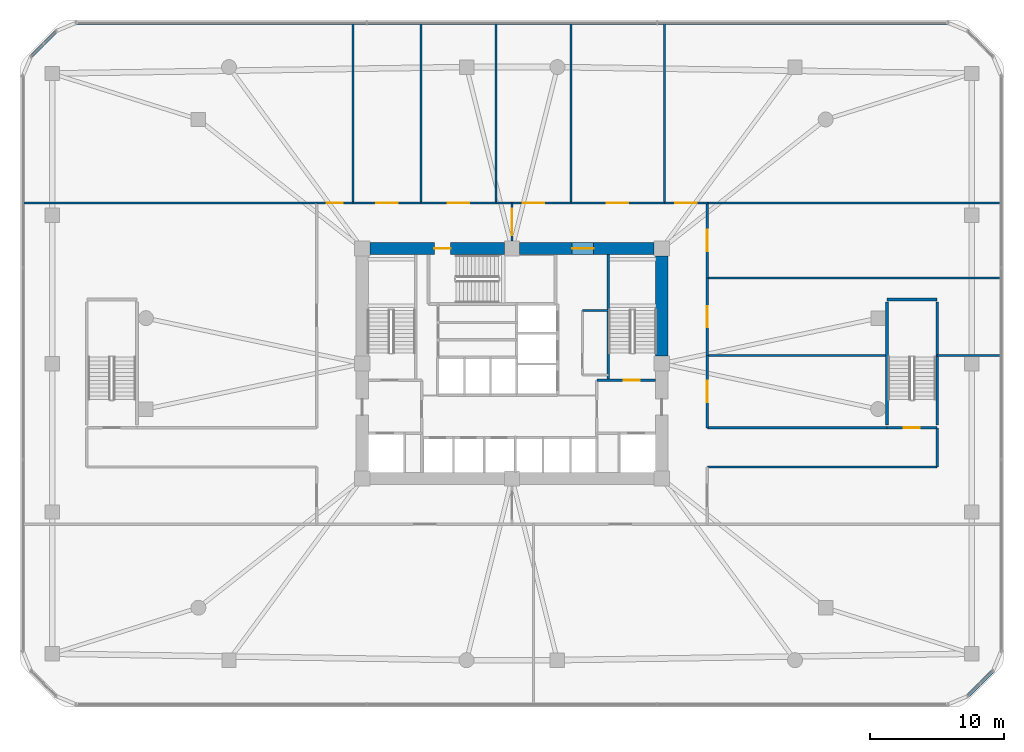
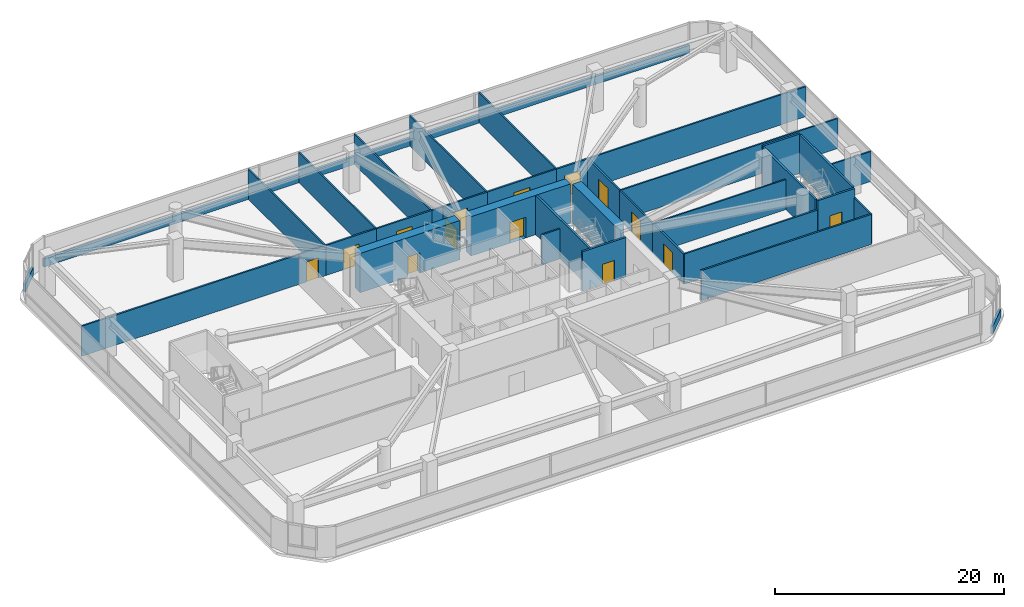
# One storey, part 18 of 21: 36 walls, 14 doors, 14 openings.
"""IFC4 building model written with IfcOpenShell, lengths in metres."""

import ifcopenshell
import ifcopenshell.guid

model = None  # the IFC model being written
_history = None  # IfcOwnerHistory: only IFC2X3 demands one
_inside = {}  # id of a spatial element -> (the spatial element, [elements in it])
_under = {}  # id of a project, library or spatial element -> (it, [spatial elements below it])
_declared = {}  # id of a project -> (the project, [libraries it declares])
_typed = {}  # id of a type object -> (the type object, [elements of that type])
_made_of = {}  # id of a material, layer set ... -> (it, [elements and type objects made of it])


def new_model(schema):
    """Start an empty IFC model of exactly this schema.

    Asked for "IFC4X3", IfcOpenShell would pick the latest addendum, in which some entities
    have other attributes; the version numbers below select the first issue.
    IFC2X3 requires an IfcOwnerHistory on every rooted entity: one is made here for all.
    """
    global model, _history
    if schema == "IFC4X3":
        model = ifcopenshell.file(schema_version=(4, 3, 0, 0))
    else:
        model = ifcopenshell.file(schema=schema)
    _inside.clear()
    _under.clear()
    _declared.clear()
    _typed.clear()
    _made_of.clear()
    _history = None
    if model.schema == "IFC2X3":
        org = make("IfcOrganization", Name="unknown")
        user = make(
            "IfcPersonAndOrganization",
            ThePerson=make("IfcPerson", FamilyName="unknown"),
            TheOrganization=org,
        )
        app = make(
            "IfcApplication",
            ApplicationDeveloper=org,
            Version="unknown",
            ApplicationFullName="unknown",
            ApplicationIdentifier="unknown",
        )
        _history = make(
            "IfcOwnerHistory",
            OwningUser=user,
            OwningApplication=app,
            ChangeAction="ADDED",
            CreationDate=0,
        )
    return model


def make(cls, **values):
    """One entity of the class cls with the attributes given. An attribute that is None is left unset."""
    return model.create_entity(
        cls, **{name: value for name, value in values.items() if value is not None}
    )


def rooted(cls, **values):
    """An entity with a GlobalId (a new one), such as an element, a storey or a relation."""
    return make(cls, GlobalId=ifcopenshell.guid.new(), OwnerHistory=_history, **values)


def si_unit(unit_type, name, prefix=None):
    """IfcSIUnit, for example si_unit("LENGTHUNIT", "METRE", prefix="MILLI")."""
    return make("IfcSIUnit", UnitType=unit_type, Prefix=prefix, Name=name)


def derived_unit(unit_type, elements):
    """IfcDerivedUnit: a product of units, each with its exponent."""
    return make(
        "IfcDerivedUnit",
        Elements=[
            make("IfcDerivedUnitElement", Unit=unit, Exponent=power)
            for unit, power in elements
        ],
        UnitType=unit_type,
    )


def assignment(units):
    """IfcUnitAssignment: the units of a project."""
    return None if units is None else make("IfcUnitAssignment", Units=units)


def point(xyz):
    """IfcCartesianPoint."""
    return None if xyz is None else make("IfcCartesianPoint", Coordinates=xyz)


def direction(xyz):
    """IfcDirection."""
    return None if xyz is None else make("IfcDirection", DirectionRatios=xyz)


def frame(location, z_axis=None, x_axis=None):
    """IfcAxis2Placement3D, a coordinate frame: its origin and axes. An axis left out is left unset."""
    return make(
        "IfcAxis2Placement3D",
        Location=point(location),
        Axis=direction(z_axis),
        RefDirection=direction(x_axis),
    )


def frame_2d(location, x_axis=None):
    """IfcAxis2Placement2D, a coordinate frame in the plane: its origin and x axis."""
    return make(
        "IfcAxis2Placement2D", Location=point(location), RefDirection=direction(x_axis)
    )


def origin():
    """The frame at (0, 0, 0) with its axes left unset."""
    return frame((0.0, 0.0, 0.0))


def place(relative_to, where):
    """IfcLocalPlacement: puts the frame where relative to a parent placement (None: the world)."""
    return make(
        "IfcLocalPlacement", PlacementRelTo=relative_to, RelativePlacement=where
    )


def context(
    kind, dimensions, precision=None, world=None, true_north=None, identifier=None
):
    """IfcGeometricRepresentationContext, for example the 3D "Model" context."""
    return make(
        "IfcGeometricRepresentationContext",
        ContextIdentifier=identifier,
        ContextType=kind,
        CoordinateSpaceDimension=dimensions,
        Precision=precision,
        WorldCoordinateSystem=world,
        TrueNorth=true_north,
    )


def subcontext(parent, identifier, kind, view, scale=None):
    """IfcGeometricRepresentationSubContext, for example "Body" below "Model"."""
    return make(
        "IfcGeometricRepresentationSubContext",
        ContextIdentifier=identifier,
        ContextType=kind,
        ParentContext=parent,
        TargetScale=scale,
        TargetView=view,
    )


def project(units=None, contexts=None):
    """IfcProject with its units and contexts."""
    return rooted(
        "IfcProject",
        Name="project",
        RepresentationContexts=contexts,
        UnitsInContext=assignment(units),
    )


def spatial(cls, under=None, at=None, **own):
    """A site, building, storey or space (cls), placed at a placement, below another one or the project."""
    s = rooted(cls, ObjectPlacement=at, **own)
    if under is not None:
        _under.setdefault(under.id(), (under, []))[1].append(s)
    return s


def profile(cls, at=None, kind="AREA", **sizes):
    """A parametric profile (cls). Its sizes go by their IFC names, for example OverallWidth=200.0."""
    return make(cls, ProfileType=kind, Position=at, **sizes)


def rectangle(**sizes):
    """IfcRectangleProfileDef."""
    return profile("IfcRectangleProfileDef", **sizes)


def extrude(swept, where, along, depth):
    """IfcExtrudedAreaSolid: the profile swept, set in the frame where, extruded along a direction by depth."""
    return make(
        "IfcExtrudedAreaSolid",
        SweptArea=swept,
        Position=where,
        ExtrudedDirection=direction(along),
        Depth=depth,
    )


def shape(context_of_items, identifier, shape_type, items):
    """IfcShapeRepresentation: the items that make up one representation, for example the "Body"."""
    return make(
        "IfcShapeRepresentation",
        ContextOfItems=context_of_items,
        RepresentationIdentifier=identifier,
        RepresentationType=shape_type,
        Items=items,
    )


def material(Name=None, Category=None):
    """IfcMaterial."""
    return make("IfcMaterial", Name=Name, Category=Category)


def layer(
    of_material, thickness, ventilated=None, Name=None, Category=None, Priority=None
):
    """IfcMaterialLayer: one layer of a wall or slab, of a material (None: an air gap)."""
    return make(
        "IfcMaterialLayer",
        Material=of_material,
        LayerThickness=thickness,
        IsVentilated=ventilated,
        Name=Name,
        Category=Category,
        Priority=Priority,
    )


def layer_set(layers, Name=None):
    """IfcMaterialLayerSet."""
    return make("IfcMaterialLayerSet", MaterialLayers=layers, LayerSetName=Name)


def made_of(thing, what):
    """Note that an element or type object is made of a material, layer set ...; save() writes the relation."""
    if what is not None:
        _made_of.setdefault(what.id(), (what, []))[1].append(thing)
    return thing


def type_object(cls, material=None, **own):
    """A type object (cls), such as IfcWallType, which elements share."""
    return made_of(rooted(cls, **own), material)


def element(
    cls,
    number,
    at=None,
    inside=None,
    cuts=None,
    type_object=None,
    material=None,
    context=None,
    identifier="Body",
    shape_type=None,
    held_by="IfcProductDefinitionShape",
    body=None,
    shapes=None,
    **own,
):
    """One element of the class cls, such as IfcWall. Its Tag is "e" and its number.

    at: its placement. inside: the storey or other place that contains it. cuts: it is an
    opening in that element (IfcRelVoidsElement). A single representation is given by context,
    identifier, shape_type and body (its items); several are given by shapes. held_by: the class
    of the entity that holds the representations. save() writes the other relations.
    """
    e = rooted(cls, Tag="e%d" % number, ObjectPlacement=at, **own)
    if body is not None:
        shapes = [shape(context, identifier, shape_type, body)]
    if shapes is not None:
        e.Representation = make(held_by, Representations=shapes)
    if inside is not None:
        _inside.setdefault(inside.id(), (inside, []))[1].append(e)
    if cuts is not None:
        rooted(
            "IfcRelVoidsElement", RelatingBuildingElement=cuts, RelatedOpeningElement=e
        )
    if type_object is not None:
        _typed.setdefault(type_object.id(), (type_object, []))[1].append(e)
    return made_of(e, material)


def fill(opening, filler):
    """IfcRelFillsElement: the door or window that sits in an opening."""
    return rooted(
        "IfcRelFillsElement",
        RelatingOpeningElement=opening,
        RelatedBuildingElement=filler,
    )


def aggregate(whole, parts):
    """IfcRelAggregates: a whole, such as a stair, and the parts it consists of."""
    return rooted("IfcRelAggregates", RelatingObject=whole, RelatedObjects=parts)


def save(model, path):
    """Write the relations noted so far, then the file.

    IfcRelAggregates (storeys below a building ...), IfcRelContainedInSpatialStructure (elements
    in a storey), IfcRelDefinesByType, IfcRelAssociatesMaterial and IfcRelDeclares: one each for
    every whole, place, type object, material and project.
    """
    for whole, parts in _under.values():
        aggregate(whole, parts)
    for where, things in _inside.values():
        rooted(
            "IfcRelContainedInSpatialStructure",
            RelatedElements=things,
            RelatingStructure=where,
        )
    for kind, things in _typed.values():
        rooted("IfcRelDefinesByType", RelatedObjects=things, RelatingType=kind)
    for what, things in _made_of.values():
        rooted("IfcRelAssociatesMaterial", RelatedObjects=things, RelatingMaterial=what)
    for by, libraries in _declared.values():
        rooted("IfcRelDeclares", RelatingContext=by, RelatedDefinitions=libraries)
    model.write(path)


model = new_model("IFC4")

# Units and contexts
model_context = context("Model", 3, precision=1e-05, world=origin(), true_north=direction((0.0, 1.0)))
body_context = subcontext(model_context, "Body", "Model", "MODEL_VIEW")
ifc_project = project(units=[si_unit("LENGTHUNIT", "METRE"), si_unit("AREAUNIT", "SQUARE_METRE"), si_unit("VOLUMEUNIT", "CUBIC_METRE"), si_unit("PLANEANGLEUNIT", "RADIAN"), si_unit("MASSUNIT", "GRAM", prefix="KILO"), derived_unit("THERMALTRANSMITTANCEUNIT", [(si_unit("POWERUNIT", "WATT"), 1), (si_unit("LENGTHUNIT", "METRE"), -2), (si_unit("THERMODYNAMICTEMPERATUREUNIT", "KELVIN"), -1)])], contexts=[model_context])

# Site, building, storey
site_placement = place(None, origin())
site = spatial("IfcSite", under=ifc_project, at=site_placement, CompositionType="ELEMENT")
building_placement = place(site_placement, origin())
building = spatial("IfcBuilding", under=site, at=building_placement, Name="Koralith Skygarden Medical Center", CompositionType="ELEMENT")
storey_placement = place(building_placement, frame((0.0, 0.0, 14.39990234375)))
storey = spatial("IfcBuildingStorey", under=building, at=storey_placement, Name="L03", CompositionType="ELEMENT", Elevation=14.39990234375)

# Walls
ifc_material_1 = material(Name="Gypsum Board Partition")
ifc_layer_1 = layer(ifc_material_1, 0.14990234375)
ifc_layer_set_1 = layer_set([ifc_layer_1], Name="Gypsum Board Partition")
wall_type_1 = type_object("IfcWallType", Name="Clinical Acoustic Partition 150", PredefinedType="PARTITIONING", material=ifc_layer_set_1)
wall_1_placement = place(storey_placement, frame((42.27001953125, 29.860107421875, 0.0), z_axis=(0.0, 0.0, 1.0), x_axis=(1.0, 0.0, 0.0)))
element("IfcWall", 1, at=wall_1_placement, inside=storey, type_object=wall_type_1, Name="L03 Clinical Acoustic Partition 150 W-CORE-L03-ESUB-N", PredefinedType="PARTITIONING", context=body_context, shape_type="SweptSolid", body=[
    extrude(rectangle(XDim=1.929931640625, YDim=0.14990234375, at=frame_2d((0.96484375, 0.0))), origin(), (0.0, 0.0, 1.0), 3.210205078125),
])
for number, where, z_axis, x_axis, name in (
    (2, (25.10009765625, 37.909912109375, 0.0), (0.0, 0.0, 1.0), (0.0, 1.0, 0.0), "L03 Clinical Acoustic Partition 150 W-PDPART-L03-N-1"),
    (3, (30.199951171875, 37.909912109375, 0.0), (0.0, 0.0, 1.0), (0.0, 1.0, 0.0), "L03 Clinical Acoustic Partition 150 W-PDPART-L03-N-2"),
    (4, (35.800048828125, 37.909912109375, 0.0), (0.0, 0.0, 1.0), (0.0, 1.0, 0.0), "L03 Clinical Acoustic Partition 150 W-PDPART-L03-N-3"),
    (5, (41.39990234375, 37.909912109375, 0.0), (0.0, 0.0, 1.0), (0.0, 1.0, 0.0), "L03 Clinical Acoustic Partition 150 W-PDPART-L03-N-4"),
    (6, (48.39990234375, 37.909912109375, 0.0), (0.0, 0.0, 1.0), (0.0, 1.0, 0.0), "L03 Clinical Acoustic Partition 150 W-PDPART-L03-N-5"),
):
    element("IfcWall", number, at=place(storey_placement, frame(where, z_axis=z_axis, x_axis=x_axis)), inside=storey, type_object=wall_type_1, Name=name, PredefinedType="PARTITIONING", context=body_context, shape_type="SweptSolid", body=[
        extrude(rectangle(XDim=13.4501953125, YDim=0.14990234375, at=frame_2d((6.72509765625, 0.0))), origin(), (0.0, 0.0, 1.0), 3.210205078125),
    ])
wall_2_placement = place(storey_placement, frame((51.610107421875, 26.5, 0.0), z_axis=(0.0, 0.0, 1.0), x_axis=(1.0, 0.0, 0.0)))
element("IfcWall", 7, at=wall_2_placement, inside=storey, type_object=wall_type_1, Name="L03 Clinical Acoustic Partition 150 W-PDPART-L03-E-NA1", PredefinedType="PARTITIONING", context=body_context, shape_type="SweptSolid", body=[
    extrude(rectangle(XDim=13.43994140625, YDim=0.14990234375, at=frame_2d((6.719970703125, 0.0))), origin(), (0.0, 0.0, 1.0), 3.210205078125),
])
wall_3_placement = place(storey_placement, frame((68.800048828125, 26.5, 0.0), z_axis=(0.0, 0.0, 1.0), x_axis=(1.0, 0.0, 0.0)))
element("IfcWall", 8, at=wall_3_placement, inside=storey, type_object=wall_type_1, Name="L03 Clinical Acoustic Partition 150 W-PDPART-L03-E-NB1", PredefinedType="PARTITIONING", context=body_context, shape_type="SweptSolid", body=[
    extrude(rectangle(XDim=4.760009765625, YDim=0.14990234375, at=frame_2d((2.3798828125, 0.0))), origin(), (0.0, 0.0, 1.0), 3.210205078125),
])
wall_4_placement = place(storey_placement, frame((51.610107421875, 32.300048828125, 0.0), z_axis=(0.0, 0.0, 1.0), x_axis=(1.0, 0.0, 0.0)))
element("IfcWall", 9, at=wall_4_placement, inside=storey, type_object=wall_type_1, Name="L03 Clinical Acoustic Partition 150 W-PDPART-L03-E-NF2", PredefinedType="PARTITIONING", context=body_context, shape_type="SweptSolid", body=[
    extrude(rectangle(XDim=21.949951171875, YDim=0.14990234375, at=frame_2d((10.97509765625, 0.0))), origin(), (0.0, 0.0, 1.0), 3.210205078125),
])
ifc_layer_2 = layer(ifc_material_1, 0.1650390625)
ifc_layer_set_2 = layer_set([ifc_layer_2], Name="Gypsum Board Partition")
wall_type_2 = type_object("IfcWallType", Name="Clinical Corridor Partition 165", PredefinedType="PARTITIONING", material=ifc_layer_set_2)
for number, where, z_axis, x_axis, name in (
    (10, (0.43994140625, 37.909912109375, 0.0), (0.0, 0.0, 1.0), (1.0, 0.0, 0.0), "L03 Clinical Corridor Partition 165 W-WB-L03-NW"),
    (11, (51.610107421875, 37.909912109375, 0.0), (0.0, 0.0, 1.0), (1.0, 0.0, 0.0), "L03 Clinical Corridor Partition 165 W-WB-L03-NE"),
):
    element("IfcWall", number, at=place(storey_placement, frame(where, z_axis=z_axis, x_axis=x_axis)), inside=storey, type_object=wall_type_2, Name=name, PredefinedType="PARTITIONING", context=body_context, shape_type="SweptSolid", body=[
        extrude(rectangle(XDim=21.949951171875, YDim=0.1650390625, at=frame_2d((10.97509765625, 0.0))), origin(), (0.0, 0.0, 1.0), 3.210205078125),
    ])
wall_5_placement = place(storey_placement, frame((51.610107421875, 18.169921875, 0.0), z_axis=(0.0, 0.0, 1.0), x_axis=(1.0, 0.0, 0.0)))
element("IfcWall", 12, at=wall_5_placement, inside=storey, type_object=wall_type_2, Name="L03 Clinical Corridor Partition 165 W-PARM-L03-ES", PredefinedType="PARTITIONING", context=body_context, shape_type="SweptSolid", body=[
    extrude(rectangle(XDim=17.18994140625, YDim=0.1650390625, at=frame_2d((8.594970703125, 0.0))), origin(), (0.0, 0.0, 1.0), 3.210205078125),
])
wall_6_placement = place(storey_placement, frame((68.800048828125, 18.169921875, 0.0), z_axis=(0.0, 0.0, 1.0), x_axis=(0.0, 1.0, 0.0)))
element("IfcWall", 13, at=wall_6_placement, inside=storey, type_object=wall_type_2, Name="L03 Clinical Corridor Partition 165 W-PARM-L03-EE", PredefinedType="PARTITIONING", context=body_context, shape_type="SweptSolid", body=[
    extrude(rectangle(XDim=2.93017578125, YDim=0.1650390625, at=frame_2d((1.465087890625, 0.0))), origin(), (0.0, 0.0, 1.0), 3.210205078125),
])
wall_7_placement = place(storey_placement, frame((51.610107421875, 21.10009765625, 0.0), z_axis=(0.0, 0.0, 1.0), x_axis=(1.0, 0.0, 0.0)))
element("IfcWall", 14, at=wall_7_placement, inside=storey, type_object=wall_type_2, Name="L03 Clinical Corridor Partition 165 W-PARM-L03-EN", PredefinedType="PARTITIONING", context=body_context, shape_type="SweptSolid", body=[
    extrude(rectangle(XDim=13.43994140625, YDim=0.1650390625, at=frame_2d((6.719970703125, 0.0))), origin(), (0.0, 0.0, 1.0), 3.210205078125),
])

# Wall, opening, door
wall_8_placement = place(storey_placement, frame((22.389892578125, 37.909912109375, 0.0), z_axis=(0.0, 0.0, 1.0), x_axis=(1.0, 0.0, 0.0)))
wall_8 = element("IfcWall", 15, at=wall_8_placement, inside=storey, type_object=wall_type_2, Name="L03 Clinical Corridor Partition 165 W-PDCOR-L03-N-1", PredefinedType="PARTITIONING", context=body_context, shape_type="SweptSolid", body=[
    extrude(rectangle(XDim=2.710205078125, YDim=0.1650390625, at=frame_2d((1.35498046875, 0.0))), origin(), (0.0, 0.0, 1.0), 3.210205078125),
])
opening_1_placement = place(wall_8_placement, frame((0.7548828125, 0.0, 0.0)))
opening_1 = element("IfcOpeningElement", 16, at=opening_1_placement, cuts=wall_8, Name="Opening D-CLN", PredefinedType="OPENING", context=body_context, shape_type="SweptSolid", body=[
    extrude(rectangle(XDim=1.199951171875, YDim=2.14990234375, at=frame_2d((0.60009765625, 1.074951171875))), frame((0.0, 0.092529296875, 0.0), z_axis=(0.0, -1.0, 0.0), x_axis=(1.0, 0.0, 0.0)), (0.0, 0.0, 1.0), 0.18505859375),
])
ifc_material_2 = material(Name="Aluminium 6063-T6", Category="aluminium")
door_type_1 = type_object("IfcDoorType", Name="Clinical Corridor Door D-CLN 1200", OperationType="NOTDEFINED", PredefinedType="DOOR", material=ifc_material_2)
door_1_placement = place(opening_1_placement, origin())
door_1 = element("IfcDoor", 17, at=door_1_placement, inside=storey, type_object=door_type_1, Name="L03 Cardiac Catheterization Lab 1 Door", OperationType="SINGLE_SWING_LEFT", OverallHeight=2.14990234375, OverallWidth=1.199951171875, PredefinedType="DOOR", context=body_context, shape_type="SweptSolid", body=[
    extrude(rectangle(XDim=1.199951171875, YDim=2.14990234375, at=frame_2d((0.60009765625, 1.074951171875))), frame((0.0, 0.02490234375, 0.0), z_axis=(0.0, -1.0, 0.0), x_axis=(1.0, 0.0, 0.0)), (0.0, 0.0, 1.0), 0.050048828125),
])
fill(opening_1, door_1)

wall_9_placement = place(storey_placement, frame((25.10009765625, 37.909912109375, 0.0), z_axis=(0.0, 0.0, 1.0), x_axis=(1.0, 0.0, 0.0)))
wall_9 = element("IfcWall", 18, at=wall_9_placement, inside=storey, type_object=wall_type_2, Name="L03 Clinical Corridor Partition 165 W-PDCOR-L03-N-2", PredefinedType="PARTITIONING", context=body_context, shape_type="SweptSolid", body=[
    extrude(rectangle(XDim=5.099853515625, YDim=0.1650390625, at=frame_2d((2.5498046875, 0.0))), origin(), (0.0, 0.0, 1.0), 3.210205078125),
])
opening_2_placement = place(wall_9_placement, frame((1.75, 0.0, 0.0)))
opening_2 = element("IfcOpeningElement", 19, at=opening_2_placement, cuts=wall_9, Name="Opening D-DBL", PredefinedType="OPENING", context=body_context, shape_type="SweptSolid", body=[
    extrude(rectangle(XDim=1.60009765625, YDim=2.199951171875, at=frame_2d((0.800048828125, 1.10009765625))), frame((0.0, 0.092529296875, 0.0), z_axis=(0.0, -1.0, 0.0), x_axis=(1.0, 0.0, 0.0)), (0.0, 0.0, 1.0), 0.18505859375),
])
door_type_2 = type_object("IfcDoorType", Name="Double Clinical Suite Door D-DBL 1600", OperationType="NOTDEFINED", PredefinedType="DOOR", material=ifc_material_2)
door_2_placement = place(opening_2_placement, origin())
door_2 = element("IfcDoor", 20, at=door_2_placement, inside=storey, type_object=door_type_2, Name="L03 Biplane Neuro-Angiography Suite Door", OperationType="DOUBLE_DOOR_SINGLE_SWING", OverallHeight=2.199951171875, OverallWidth=1.60009765625, PredefinedType="DOOR", context=body_context, shape_type="SweptSolid", body=[
    extrude(rectangle(XDim=1.60009765625, YDim=2.199951171875, at=frame_2d((0.800048828125, 1.10009765625))), frame((0.0, 0.02490234375, 0.0), z_axis=(0.0, -1.0, 0.0), x_axis=(1.0, 0.0, 0.0)), (0.0, 0.0, 1.0), 0.050048828125),
])
fill(opening_2, door_2)

wall_10_placement = place(storey_placement, frame((30.199951171875, 37.909912109375, 0.0), z_axis=(0.0, 0.0, 1.0), x_axis=(1.0, 0.0, 0.0)))
wall_10 = element("IfcWall", 21, at=wall_10_placement, inside=storey, type_object=wall_type_2, Name="L03 Clinical Corridor Partition 165 W-PDCOR-L03-N-3", PredefinedType="PARTITIONING", context=body_context, shape_type="SweptSolid", body=[
    extrude(rectangle(XDim=5.60009765625, YDim=0.1650390625, at=frame_2d((2.800048828125, 0.0))), origin(), (0.0, 0.0, 1.0), 3.210205078125),
])
opening_3_placement = place(wall_10_placement, frame((2.0, 0.0, 0.0)))
opening_3 = element("IfcOpeningElement", 22, at=opening_3_placement, cuts=wall_10, Name="Opening D-DBL", PredefinedType="OPENING", context=body_context, shape_type="SweptSolid", body=[
    extrude(rectangle(XDim=1.60009765625, YDim=2.199951171875, at=frame_2d((0.800048828125, 1.10009765625))), frame((0.0, 0.092529296875, 0.0), z_axis=(0.0, -1.0, 0.0), x_axis=(1.0, 0.0, 0.0)), (0.0, 0.0, 1.0), 0.18505859375),
])
door_3_placement = place(opening_3_placement, origin())
door_3 = element("IfcDoor", 23, at=door_3_placement, inside=storey, type_object=door_type_2, Name="L03 Interventional Case Conference Room Door", OperationType="DOUBLE_DOOR_SINGLE_SWING", OverallHeight=2.199951171875, OverallWidth=1.60009765625, PredefinedType="DOOR", context=body_context, shape_type="SweptSolid", body=[
    extrude(rectangle(XDim=1.60009765625, YDim=2.199951171875, at=frame_2d((0.800048828125, 1.10009765625))), frame((0.0, 0.02490234375, 0.0), z_axis=(0.0, -1.0, 0.0), x_axis=(1.0, 0.0, 0.0)), (0.0, 0.0, 1.0), 0.050048828125),
])
fill(opening_3, door_3)

wall_11_placement = place(storey_placement, frame((35.800048828125, 37.909912109375, 0.0), z_axis=(0.0, 0.0, 1.0), x_axis=(1.0, 0.0, 0.0)))
wall_11 = element("IfcWall", 24, at=wall_11_placement, inside=storey, type_object=wall_type_2, Name="L03 Clinical Corridor Partition 165 W-PDCOR-L03-N-4", PredefinedType="PARTITIONING", context=body_context, shape_type="SweptSolid", body=[
    extrude(rectangle(XDim=5.599853515625, YDim=0.1650390625, at=frame_2d((2.7998046875, 0.0))), origin(), (0.0, 0.0, 1.0), 3.210205078125),
])
opening_4_placement = place(wall_11_placement, frame((2.0, 0.0, 0.0)))
opening_4 = element("IfcOpeningElement", 25, at=opening_4_placement, cuts=wall_11, Name="Opening D-DBL", PredefinedType="OPENING", context=body_context, shape_type="SweptSolid", body=[
    extrude(rectangle(XDim=1.60009765625, YDim=2.199951171875, at=frame_2d((0.800048828125, 1.10009765625))), frame((0.0, 0.092529296875, 0.0), z_axis=(0.0, -1.0, 0.0), x_axis=(1.0, 0.0, 0.0)), (0.0, 0.0, 1.0), 0.18505859375),
])
door_4_placement = place(opening_4_placement, origin())
door_4 = element("IfcDoor", 26, at=door_4_placement, inside=storey, type_object=door_type_2, Name="L03 Staff Refreshment Pantry Door", OperationType="DOUBLE_DOOR_SINGLE_SWING", OverallHeight=2.199951171875, OverallWidth=1.60009765625, PredefinedType="DOOR", context=body_context, shape_type="SweptSolid", body=[
    extrude(rectangle(XDim=1.60009765625, YDim=2.199951171875, at=frame_2d((0.800048828125, 1.10009765625))), frame((0.0, 0.02490234375, 0.0), z_axis=(0.0, -1.0, 0.0), x_axis=(1.0, 0.0, 0.0)), (0.0, 0.0, 1.0), 0.050048828125),
])
fill(opening_4, door_4)

wall_12_placement = place(storey_placement, frame((41.39990234375, 37.909912109375, 0.0), z_axis=(0.0, 0.0, 1.0), x_axis=(1.0, 0.0, 0.0)))
wall_12 = element("IfcWall", 27, at=wall_12_placement, inside=storey, type_object=wall_type_2, Name="L03 Clinical Corridor Partition 165 W-PDCOR-L03-N-5", PredefinedType="PARTITIONING", context=body_context, shape_type="SweptSolid", body=[
    extrude(rectangle(XDim=7.0, YDim=0.1650390625, at=frame_2d((3.5, 0.0))), origin(), (0.0, 0.0, 1.0), 3.210205078125),
])
opening_5_placement = place(wall_12_placement, frame((2.699951171875, 0.0, 0.0)))
opening_5 = element("IfcOpeningElement", 28, at=opening_5_placement, cuts=wall_12, Name="Opening D-DBL", PredefinedType="OPENING", context=body_context, shape_type="SweptSolid", body=[
    extrude(rectangle(XDim=1.60009765625, YDim=2.199951171875, at=frame_2d((0.800048828125, 1.10009765625))), frame((0.0, 0.092529296875, 0.0), z_axis=(0.0, -1.0, 0.0), x_axis=(1.0, 0.0, 0.0)), (0.0, 0.0, 1.0), 0.18505859375),
])
door_5_placement = place(opening_5_placement, origin())
door_5 = element("IfcDoor", 29, at=door_5_placement, inside=storey, type_object=door_type_2, Name="L03 Endoscopy Procedure Room Door", OperationType="DOUBLE_DOOR_SINGLE_SWING", OverallHeight=2.199951171875, OverallWidth=1.60009765625, PredefinedType="DOOR", context=body_context, shape_type="SweptSolid", body=[
    extrude(rectangle(XDim=1.60009765625, YDim=2.199951171875, at=frame_2d((0.800048828125, 1.10009765625))), frame((0.0, 0.02490234375, 0.0), z_axis=(0.0, -1.0, 0.0), x_axis=(1.0, 0.0, 0.0)), (0.0, 0.0, 1.0), 0.050048828125),
])
fill(opening_5, door_5)

wall_13_placement = place(storey_placement, frame((48.39990234375, 37.909912109375, 0.0), z_axis=(0.0, 0.0, 1.0), x_axis=(1.0, 0.0, 0.0)))
wall_13 = element("IfcWall", 30, at=wall_13_placement, inside=storey, type_object=wall_type_2, Name="L03 Clinical Corridor Partition 165 W-PDCOR-L03-N-6", PredefinedType="PARTITIONING", context=body_context, shape_type="SweptSolid", body=[
    extrude(rectangle(XDim=3.210205078125, YDim=0.1650390625, at=frame_2d((1.60498046875, 0.0))), origin(), (0.0, 0.0, 1.0), 3.210205078125),
])
opening_6_placement = place(wall_13_placement, frame((0.804931640625, 0.0, 0.0)))
opening_6 = element("IfcOpeningElement", 31, at=opening_6_placement, cuts=wall_13, Name="Opening D-DBL", PredefinedType="OPENING", context=body_context, shape_type="SweptSolid", body=[
    extrude(rectangle(XDim=1.60009765625, YDim=2.199951171875, at=frame_2d((0.800048828125, 1.10009765625))), frame((0.0, 0.092529296875, 0.0), z_axis=(0.0, -1.0, 0.0), x_axis=(1.0, 0.0, 0.0)), (0.0, 0.0, 1.0), 0.18505859375),
])
door_6_placement = place(opening_6_placement, origin())
door_6 = element("IfcDoor", 32, at=door_6_placement, inside=storey, type_object=door_type_2, Name="L03 Interventional Sterile Instrument Hall Door", OperationType="DOUBLE_DOOR_SINGLE_SWING", OverallHeight=2.199951171875, OverallWidth=1.60009765625, PredefinedType="DOOR", context=body_context, shape_type="SweptSolid", body=[
    extrude(rectangle(XDim=1.60009765625, YDim=2.199951171875, at=frame_2d((0.800048828125, 1.10009765625))), frame((0.0, 0.02490234375, 0.0), z_axis=(0.0, -1.0, 0.0), x_axis=(1.0, 0.0, 0.0)), (0.0, 0.0, 1.0), 0.050048828125),
])
fill(opening_6, door_6)

wall_14_placement = place(storey_placement, frame((51.610107421875, 21.10009765625, 0.0), z_axis=(0.0, 0.0, 1.0), x_axis=(0.0, 1.0, 0.0)))
wall_14 = element("IfcWall", 33, at=wall_14_placement, inside=storey, type_object=wall_type_2, Name="L03 Clinical Corridor Partition 165 W-PDCOR-L03-E-2", PredefinedType="PARTITIONING", context=body_context, shape_type="SweptSolid", body=[
    extrude(rectangle(XDim=5.39990234375, YDim=0.1650390625, at=frame_2d((2.699951171875, 0.0))), origin(), (0.0, 0.0, 1.0), 3.210205078125),
])
opening_7_placement = place(wall_14_placement, frame((1.89990234375, 0.0, 0.0)))
opening_7 = element("IfcOpeningElement", 34, at=opening_7_placement, cuts=wall_14, Name="Opening D-DBL", PredefinedType="OPENING", context=body_context, shape_type="SweptSolid", body=[
    extrude(rectangle(XDim=1.60009765625, YDim=2.199951171875, at=frame_2d((0.800048828125, 1.10009765625))), frame((0.0, 0.092529296875, 0.0), z_axis=(0.0, -1.0, 0.0), x_axis=(1.0, 0.0, 0.0)), (0.0, 0.0, 1.0), 0.18505859375),
])
door_7_placement = place(opening_7_placement, origin())
door_7 = element("IfcDoor", 35, at=door_7_placement, inside=storey, type_object=door_type_2, Name="L03 Dialysis Water Treatment Plant Room Door", OperationType="DOUBLE_DOOR_SINGLE_SWING", OverallHeight=2.199951171875, OverallWidth=1.60009765625, PredefinedType="DOOR", context=body_context, shape_type="SweptSolid", body=[
    extrude(rectangle(XDim=1.60009765625, YDim=2.199951171875, at=frame_2d((0.800048828125, 1.10009765625))), frame((0.0, 0.02490234375, 0.0), z_axis=(0.0, -1.0, 0.0), x_axis=(1.0, 0.0, 0.0)), (0.0, 0.0, 1.0), 0.050048828125),
])
fill(opening_7, door_7)

wall_15_placement = place(storey_placement, frame((51.610107421875, 26.5, 0.0), z_axis=(0.0, 0.0, 1.0), x_axis=(0.0, 1.0, 0.0)))
wall_15 = element("IfcWall", 36, at=wall_15_placement, inside=storey, type_object=wall_type_2, Name="L03 Clinical Corridor Partition 165 W-PDCOR-L03-E-3", PredefinedType="PARTITIONING", context=body_context, shape_type="SweptSolid", body=[
    extrude(rectangle(XDim=5.800048828125, YDim=0.1650390625, at=frame_2d((2.89990234375, 0.0))), origin(), (0.0, 0.0, 1.0), 3.210205078125),
])
opening_8_placement = place(wall_15_placement, frame((2.10009765625, 0.0, 0.0)))
opening_8 = element("IfcOpeningElement", 37, at=opening_8_placement, cuts=wall_15, Name="Opening D-DBL", PredefinedType="OPENING", context=body_context, shape_type="SweptSolid", body=[
    extrude(rectangle(XDim=1.60009765625, YDim=2.199951171875, at=frame_2d((0.800048828125, 1.10009765625))), frame((0.0, 0.092529296875, 0.0), z_axis=(0.0, -1.0, 0.0), x_axis=(1.0, 0.0, 0.0)), (0.0, 0.0, 1.0), 0.18505859375),
])
door_8_placement = place(opening_8_placement, origin())
door_8 = element("IfcDoor", 38, at=door_8_placement, inside=storey, type_object=door_type_2, Name="L03 Public Accessible Restroom WC Door", OperationType="DOUBLE_DOOR_SINGLE_SWING", OverallHeight=2.199951171875, OverallWidth=1.60009765625, PredefinedType="DOOR", context=body_context, shape_type="SweptSolid", body=[
    extrude(rectangle(XDim=1.60009765625, YDim=2.199951171875, at=frame_2d((0.800048828125, 1.10009765625))), frame((0.0, 0.02490234375, 0.0), z_axis=(0.0, -1.0, 0.0), x_axis=(1.0, 0.0, 0.0)), (0.0, 0.0, 1.0), 0.050048828125),
])
fill(opening_8, door_8)

wall_16_placement = place(storey_placement, frame((51.610107421875, 32.300048828125, 0.0), z_axis=(0.0, 0.0, 1.0), x_axis=(0.0, 1.0, 0.0)))
wall_16 = element("IfcWall", 39, at=wall_16_placement, inside=storey, type_object=wall_type_2, Name="L03 Clinical Corridor Partition 165 W-PDCOR-L03-E-4", PredefinedType="PARTITIONING", context=body_context, shape_type="SweptSolid", body=[
    extrude(rectangle(XDim=5.60986328125, YDim=0.1650390625, at=frame_2d((2.804931640625, 0.0))), origin(), (0.0, 0.0, 1.0), 3.210205078125),
])
opening_9_placement = place(wall_16_placement, frame((2.0048828125, 0.0, 0.0)))
opening_9 = element("IfcOpeningElement", 40, at=opening_9_placement, cuts=wall_16, Name="Opening D-DBL", PredefinedType="OPENING", context=body_context, shape_type="SweptSolid", body=[
    extrude(rectangle(XDim=1.60009765625, YDim=2.199951171875, at=frame_2d((0.800048828125, 1.10009765625))), frame((0.0, 0.092529296875, 0.0), z_axis=(0.0, -1.0, 0.0), x_axis=(1.0, 0.0, 0.0)), (0.0, 0.0, 1.0), 0.18505859375),
])
door_9_placement = place(opening_9_placement, origin())
door_9 = element("IfcDoor", 41, at=door_9_placement, inside=storey, type_object=door_type_2, Name="L03 Pulmonary Diagnostics Office Door", OperationType="DOUBLE_DOOR_SINGLE_SWING", OverallHeight=2.199951171875, OverallWidth=1.60009765625, PredefinedType="DOOR", context=body_context, shape_type="SweptSolid", body=[
    extrude(rectangle(XDim=1.60009765625, YDim=2.199951171875, at=frame_2d((0.800048828125, 1.10009765625))), frame((0.0, 0.02490234375, 0.0), z_axis=(0.0, -1.0, 0.0), x_axis=(1.0, 0.0, 0.0)), (0.0, 0.0, 1.0), 0.050048828125),
])
fill(opening_9, door_9)

ifc_layer_3 = layer(ifc_material_1, 0.179931640625)
ifc_layer_set_3 = layer_set([ifc_layer_3], Name="Gypsum Board Partition")
wall_type_3 = type_object("IfcWallType", Name="Group I-2 Smoke Barrier Wall 180", PredefinedType="PARTITIONING", material=ifc_layer_set_3)
wall_17_placement = place(storey_placement, frame((37.0, 35.080078125, 0.0), z_axis=(0.0, 0.0, 1.0), x_axis=(0.0, 1.0, 0.0)))
wall_17 = element("IfcWall", 42, at=wall_17_placement, inside=storey, type_object=wall_type_3, Name="L03 Group I-2 Smoke Barrier Wall 180 W-PSMK-L03-N", PredefinedType="PARTITIONING", context=body_context, shape_type="SweptSolid", body=[
    extrude(rectangle(XDim=2.829833984375, YDim=0.179931640625, at=frame_2d((1.4150390625, 0.0))), origin(), (0.0, 0.0, 1.0), 3.210205078125),
])
opening_10_placement = place(wall_17_placement, frame((0.4150390625, 0.0, 0.0)))
opening_10 = element("IfcOpeningElement", 43, at=opening_10_placement, cuts=wall_17, Name="Opening D-SMK", PredefinedType="OPENING", context=body_context, shape_type="SweptSolid", body=[
    extrude(rectangle(XDim=2.0, YDim=2.199951171875, at=frame_2d((1.0, 1.10009765625))), frame((0.0, 0.099853515625, 0.0), z_axis=(0.0, -1.0, 0.0), x_axis=(1.0, 0.0, 0.0)), (0.0, 0.0, 1.0), 0.199951171875),
])
ifc_material_3 = material(Name="Steel ASTM A500 Grade C", Category="steel")
door_type_3 = type_object("IfcDoorType", Name="Cross-Corridor Double Smoke Door FD60S 2000", OperationType="NOTDEFINED", PredefinedType="DOOR", material=ifc_material_3)
door_10_placement = place(opening_10_placement, origin())
door_10 = element("IfcDoor", 44, at=door_10_placement, inside=storey, type_object=door_type_3, Name="L03 N Podium Smoke Door", OperationType="DOUBLE_DOOR_SINGLE_SWING", OverallHeight=2.199951171875, OverallWidth=2.0, PredefinedType="DOOR", context=body_context, shape_type="SweptSolid", body=[
    extrude(rectangle(XDim=2.0, YDim=2.199951171875, at=frame_2d((1.0, 1.10009765625))), frame((0.0, 0.02490234375, 0.0), z_axis=(0.0, -1.0, 0.0), x_axis=(1.0, 0.0, 0.0)), (0.0, 0.0, 1.0), 0.050048828125),
])
fill(opening_10, door_10)

# Walls
ifc_material_4 = material(Name="Warm Oolitic Limestone Cladding", Category="masonry")
ifc_layer_4 = layer(ifc_material_4, 0.239990234375)
ifc_layer_set_4 = layer_set([ifc_layer_4], Name="Warm Oolitic Limestone Cladding")
wall_type_4 = type_object("IfcWallType", Name="Limestone Spandrel Sill Backup Wall 240", PredefinedType="SOLIDWALL", material=ifc_layer_set_4)
wall_18_placement = place(storey_placement, frame((71.072021484375, 1.02099609375, 0.0), z_axis=(0.0, 0.0, 1.0), x_axis=(0.707106781187, 0.707106781187, 0.0)))
element("IfcWall", 45, at=wall_18_placement, inside=storey, type_object=wall_type_4, Name="L03 Sill Spandrel Wall SE", PredefinedType="SOLIDWALL", context=body_context, shape_type="SweptSolid", body=[
    extrude(rectangle(XDim=2.69677734375, YDim=0.239990234375, at=frame_2d((1.348388671875, 0.0))), origin(), (0.0, 0.0, 1.0), 0.85009765625),
])
wall_19_placement = place(storey_placement, frame((69.62109375, 51.3798828125, 0.0), z_axis=(0.0, 0.0, 1.0), x_axis=(-1.0, 0.0, 0.0)))
element("IfcWall", 46, at=wall_19_placement, inside=storey, type_object=wall_type_4, Name="L03 Sill Spandrel Wall N", PredefinedType="SOLIDWALL", context=body_context, shape_type="SweptSolid", body=[
    extrude(rectangle(XDim=65.2421875, YDim=0.239990234375, at=frame_2d((32.62109375, 0.0))), origin(), (0.0, 0.0, 1.0), 0.85009765625),
])
wall_20_placement = place(storey_placement, frame((2.927978515625, 50.779052734375, 0.0), z_axis=(0.0, 0.0, 1.0), x_axis=(-0.707106781187, -0.707106781187, 0.0)))
element("IfcWall", 47, at=wall_20_placement, inside=storey, type_object=wall_type_4, Name="L03 Sill Spandrel Wall NW", PredefinedType="SOLIDWALL", context=body_context, shape_type="SweptSolid", body=[
    extrude(rectangle(XDim=2.69677734375, YDim=0.239990234375, at=frame_2d((1.348388671875, 0.0))), origin(), (0.0, 0.0, 1.0), 0.85009765625),
])
ifc_material_5 = material(Name="Concrete C70/85", Category="concrete")
ifc_layer_5 = layer(ifc_material_5, 0.89990234375)
ifc_layer_set_5 = layer_set([ifc_layer_5], Name="Concrete C70/85")
wall_type_5 = type_object("IfcWallType", Name="Lower Core Shear Wall 900", PredefinedType="SHEAR", material=ifc_layer_set_5)
wall_21_placement = place(storey_placement, frame((48.199951171875, 26.465087890625, 0.0), z_axis=(0.0, 0.0, 1.0), x_axis=(0.0, 1.0, 0.0)))
element("IfcWall", 48, at=wall_21_placement, inside=storey, type_object=wall_type_5, Name="L03 Core Shear Wall Segment 4", PredefinedType="SHEAR", context=body_context, shape_type="SweptSolid", body=[
    extrude(rectangle(XDim=7.469970703125, YDim=0.89990234375, at=frame_2d((3.73486328125, 0.0))), origin(), (0.0, 0.0, 1.0), 4.2001953125),
])

# Wall, opening, door
wall_22_placement = place(storey_placement, frame((47.635009765625, 34.5, 0.0), z_axis=(0.0, 0.0, 1.0), x_axis=(-1.0, 0.0, 0.0)))
wall_22 = element("IfcWall", 49, at=wall_22_placement, inside=storey, type_object=wall_type_5, Name="L03 Core Shear Wall Segment 5", PredefinedType="SHEAR", context=body_context, shape_type="SweptSolid", body=[
    extrude(rectangle(XDim=10.070068359375, YDim=0.89990234375, at=frame_2d((5.03515625, 0.0))), origin(), (0.0, 0.0, 1.0), 4.2001953125),
])
opening_11_placement = place(wall_22_placement, frame((4.534912109375, 0.0, 0.0)))
opening_11 = element("IfcOpeningElement", 50, at=opening_11_placement, cuts=wall_22, Name="Opening D-DBL", PredefinedType="OPENING", context=body_context, shape_type="SweptSolid", body=[
    extrude(rectangle(XDim=1.60009765625, YDim=2.199951171875, at=frame_2d((0.800048828125, 1.10009765625))), frame((0.0, 0.4599609375, 0.0), z_axis=(0.0, -1.0, 0.0), x_axis=(1.0, 0.0, 0.0)), (0.0, 0.0, 1.0), 0.919921875),
])
door_11_placement = place(opening_11_placement, frame((1.60009765625, 0.0, 0.0), z_axis=(0.0, 0.0, 1.0), x_axis=(-1.0, 0.0, 0.0)))
door_11 = element("IfcDoor", 51, at=door_11_placement, inside=storey, type_object=door_type_2, Name="L03 North-East Corridor to Elevator Lobby Door", OperationType="DOUBLE_DOOR_SINGLE_SWING", OverallHeight=2.199951171875, OverallWidth=1.60009765625, PredefinedType="DOOR", context=body_context, shape_type="SweptSolid", body=[
    extrude(rectangle(XDim=1.60009765625, YDim=2.199951171875, at=frame_2d((0.800048828125, 1.10009765625))), frame((0.0, 0.02490234375, 0.0), z_axis=(0.0, -1.0, 0.0), x_axis=(1.0, 0.0, 0.0)), (0.0, 0.0, 1.0), 0.050048828125),
])
fill(opening_11, door_11)

wall_23_placement = place(storey_placement, frame((36.43505859375, 34.5, 0.0), z_axis=(0.0, 0.0, 1.0), x_axis=(-1.0, 0.0, 0.0)))
wall_23 = element("IfcWall", 52, at=wall_23_placement, inside=storey, type_object=wall_type_5, Name="L03 Core Shear Wall Segment 6", PredefinedType="SHEAR", context=body_context, shape_type="SweptSolid", body=[
    extrude(rectangle(XDim=10.070068359375, YDim=0.89990234375, at=frame_2d((5.03515625, 0.0))), origin(), (0.0, 0.0, 1.0), 4.2001953125),
])
opening_12_placement = place(wall_23_placement, frame((4.034912109375, 0.0, 0.0)))
opening_12 = element("IfcOpeningElement", 53, at=opening_12_placement, cuts=wall_23, Name="Opening D-ST60", PredefinedType="OPENING", context=body_context, shape_type="SweptSolid", body=[
    extrude(rectangle(XDim=1.199951171875, YDim=2.14990234375, at=frame_2d((0.60009765625, 1.074951171875))), frame((0.0, 0.4599609375, 0.0), z_axis=(0.0, -1.0, 0.0), x_axis=(1.0, 0.0, 0.0)), (0.0, 0.0, 1.0), 0.919921875),
])
door_type_4 = type_object("IfcDoorType", Name="Smokeproof Stair Fire Door FD60S 1200", OperationType="NOTDEFINED", PredefinedType="DOOR", material=ifc_material_3)
door_12_placement = place(opening_12_placement, frame((1.199951171875, 0.0, 0.0), z_axis=(0.0, 0.0, 1.0), x_axis=(-1.0, 0.0, 0.0)))
door_12 = element("IfcDoor", 54, at=door_12_placement, inside=storey, type_object=door_type_4, Name="L03 Exit Stair ST3 Fire Door", OperationType="SINGLE_SWING_LEFT", OverallHeight=2.14990234375, OverallWidth=1.199951171875, PredefinedType="DOOR", context=body_context, shape_type="SweptSolid", body=[
    extrude(rectangle(XDim=1.199951171875, YDim=2.14990234375, at=frame_2d((0.60009765625, 1.074951171875))), frame((0.0, 0.02490234375, 0.0), z_axis=(0.0, -1.0, 0.0), x_axis=(1.0, 0.0, 0.0)), (0.0, 0.0, 1.0), 0.050048828125),
])
fill(opening_12, door_12)

# Wall
ifc_material_6 = material(Name="Concrete C45/55", Category="concrete")
ifc_layer_6 = layer(ifc_material_6, 0.199951171875)
ifc_layer_set_6 = layer_set([ifc_layer_6], Name="Concrete C45/55")
wall_type_6 = type_object("IfcWallType", Name="Structural Stair Shaft Wall 200", PredefinedType="SHEAR", material=ifc_layer_set_6)
wall_24_placement = place(storey_placement, frame((44.199951171875, 24.64990234375, 0.0), z_axis=(0.0, 0.0, 1.0), x_axis=(0.0, 1.0, 0.0)))
element("IfcWall", 55, at=wall_24_placement, inside=storey, type_object=wall_type_6, Name="L03 Structural Stair Shaft Wall 200 W-CORE-L03-ST2-W", PredefinedType="SHEAR", context=body_context, shape_type="SweptSolid", body=[
    extrude(rectangle(XDim=9.400146484375, YDim=0.199951171875, at=frame_2d((4.7001953125, 0.0))), origin(), (0.0, 0.0, 1.0), 4.2001953125),
])

# Wall, opening, door
wall_25_placement = place(storey_placement, frame((43.35009765625, 24.64990234375, 0.0), z_axis=(0.0, 0.0, 1.0), x_axis=(1.0, 0.0, 0.0)))
wall_25 = element("IfcWall", 56, at=wall_25_placement, inside=storey, type_object=wall_type_6, Name="L03 Structural Stair Shaft Wall 200 W-CORE-L03-ST2-S", PredefinedType="SHEAR", context=body_context, shape_type="SweptSolid", body=[
    extrude(rectangle(XDim=4.39990234375, YDim=0.199951171875, at=frame_2d((2.199951171875, 0.0))), origin(), (0.0, 0.0, 1.0), 4.2001953125),
])
opening_13_placement = place(wall_25_placement, frame((2.0, 0.0, 0.0)))
opening_13 = element("IfcOpeningElement", 57, at=opening_13_placement, cuts=wall_25, Name="Opening D-ST60", PredefinedType="OPENING", context=body_context, shape_type="SweptSolid", body=[
    extrude(rectangle(XDim=1.199951171875, YDim=2.14990234375, at=frame_2d((0.60009765625, 1.074951171875))), frame((0.0, 0.10986328125, 0.0), z_axis=(0.0, -1.0, 0.0), x_axis=(1.0, 0.0, 0.0)), (0.0, 0.0, 1.0), 0.219970703125),
])
door_13_placement = place(opening_13_placement, origin())
door_13 = element("IfcDoor", 58, at=door_13_placement, inside=storey, type_object=door_type_4, Name="L03 Exit Stair ST2 Fire Door", OperationType="SINGLE_SWING_RIGHT", OverallHeight=2.14990234375, OverallWidth=1.199951171875, PredefinedType="DOOR", context=body_context, shape_type="SweptSolid", body=[
    extrude(rectangle(XDim=1.199951171875, YDim=2.14990234375, at=frame_2d((0.60009765625, 1.074951171875))), frame((0.0, 0.02490234375, 0.0), z_axis=(0.0, -1.0, 0.0), x_axis=(1.0, 0.0, 0.0)), (0.0, 0.0, 1.0), 0.050048828125),
])
fill(opening_13, door_13)

wall_26_placement = place(storey_placement, frame((65.050048828125, 21.10009765625, 0.0), z_axis=(0.0, 0.0, 1.0), x_axis=(1.0, 0.0, 0.0)))
wall_26 = element("IfcWall", 59, at=wall_26_placement, inside=storey, type_object=wall_type_6, Name="L03 Structural Stair Shaft Wall 200 W-ST5-L03-S", PredefinedType="SHEAR", context=body_context, shape_type="SweptSolid", body=[
    extrude(rectangle(XDim=3.75, YDim=0.199951171875, at=frame_2d((1.875, 0.0))), origin(), (0.0, 0.0, 1.0), 4.2001953125),
])
opening_14_placement = place(wall_26_placement, frame((1.25, 0.0, 0.0)))
opening_14 = element("IfcOpeningElement", 60, at=opening_14_placement, cuts=wall_26, Name="Opening D-ST60", PredefinedType="OPENING", context=body_context, shape_type="SweptSolid", body=[
    extrude(rectangle(XDim=1.199951171875, YDim=2.14990234375, at=frame_2d((0.60009765625, 1.074951171875))), frame((0.0, 0.10986328125, 0.0), z_axis=(0.0, -1.0, 0.0), x_axis=(1.0, 0.0, 0.0)), (0.0, 0.0, 1.0), 0.219970703125),
])
door_14_placement = place(opening_14_placement, origin())
door_14 = element("IfcDoor", 61, at=door_14_placement, inside=storey, type_object=door_type_4, Name="L03 Exit Stair ST5 Fire Door", OperationType="SINGLE_SWING_RIGHT", OverallHeight=2.14990234375, OverallWidth=1.199951171875, PredefinedType="DOOR", context=body_context, shape_type="SweptSolid", body=[
    extrude(rectangle(XDim=1.199951171875, YDim=2.14990234375, at=frame_2d((0.60009765625, 1.074951171875))), frame((0.0, 0.02490234375, 0.0), z_axis=(0.0, -1.0, 0.0), x_axis=(1.0, 0.0, 0.0)), (0.0, 0.0, 1.0), 0.050048828125),
])
fill(opening_14, door_14)

# Walls
wall_27_placement = place(storey_placement, frame((65.050048828125, 30.699951171875, 0.0), z_axis=(0.0, 0.0, 1.0), x_axis=(1.0, 0.0, 0.0)))
element("IfcWall", 62, at=wall_27_placement, inside=storey, type_object=wall_type_6, Name="L03 Structural Stair Shaft Wall 200 W-ST5-L03-N", PredefinedType="SHEAR", context=body_context, shape_type="SweptSolid", body=[
    extrude(rectangle(XDim=3.75, YDim=0.199951171875, at=frame_2d((1.875, 0.0))), origin(), (0.0, 0.0, 1.0), 4.2001953125),
])
for number, where, z_axis, x_axis, name in (
    (63, (65.050048828125, 21.300048828125, 0.0), (0.0, 0.0, 1.0), (0.0, 1.0, 0.0), "L03 Structural Stair Shaft Wall 200 W-ST5-L03-W"),
    (64, (68.800048828125, 21.300048828125, 0.0), (0.0, 0.0, 1.0), (0.0, 1.0, 0.0), "L03 Structural Stair Shaft Wall 200 W-ST5-L03-E"),
):
    element("IfcWall", number, at=place(storey_placement, frame(where, z_axis=z_axis, x_axis=x_axis)), inside=storey, type_object=wall_type_6, Name=name, PredefinedType="SHEAR", context=body_context, shape_type="SweptSolid", body=[
        extrude(rectangle(XDim=9.199951171875, YDim=0.199951171875, at=frame_2d((4.60009765625, 0.0))), origin(), (0.0, 0.0, 1.0), 4.2001953125),
    ])

save(model, "model.ifc")
